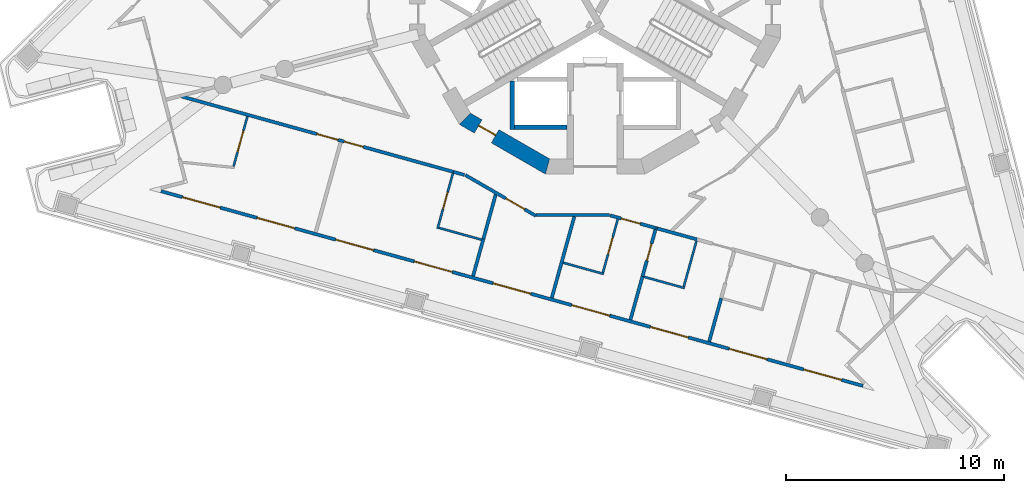
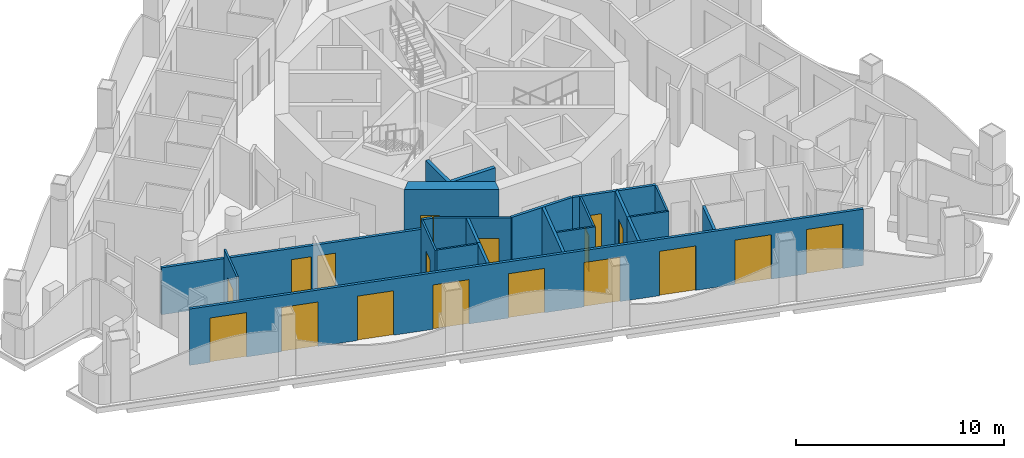
# One storey, part 2 of 14: 23 walls, 18 doors, 18 openings.
"""IFC4 building model written with IfcOpenShell, lengths in metres."""

import ifcopenshell
import ifcopenshell.guid

model = None  # the IFC model being written
_history = None  # IfcOwnerHistory: only IFC2X3 demands one
_inside = {}  # id of a spatial element -> (the spatial element, [elements in it])
_under = {}  # id of a project, library or spatial element -> (it, [spatial elements below it])
_declared = {}  # id of a project -> (the project, [libraries it declares])
_typed = {}  # id of a type object -> (the type object, [elements of that type])
_made_of = {}  # id of a material, layer set ... -> (it, [elements and type objects made of it])


def new_model(schema):
    """Start an empty IFC model of exactly this schema.

    Asked for "IFC4X3", IfcOpenShell would pick the latest addendum, in which some entities
    have other attributes; the version numbers below select the first issue.
    IFC2X3 requires an IfcOwnerHistory on every rooted entity: one is made here for all.
    """
    global model, _history
    if schema == "IFC4X3":
        model = ifcopenshell.file(schema_version=(4, 3, 0, 0))
    else:
        model = ifcopenshell.file(schema=schema)
    _inside.clear()
    _under.clear()
    _declared.clear()
    _typed.clear()
    _made_of.clear()
    _history = None
    if model.schema == "IFC2X3":
        org = make("IfcOrganization", Name="unknown")
        user = make(
            "IfcPersonAndOrganization",
            ThePerson=make("IfcPerson", FamilyName="unknown"),
            TheOrganization=org,
        )
        app = make(
            "IfcApplication",
            ApplicationDeveloper=org,
            Version="unknown",
            ApplicationFullName="unknown",
            ApplicationIdentifier="unknown",
        )
        _history = make(
            "IfcOwnerHistory",
            OwningUser=user,
            OwningApplication=app,
            ChangeAction="ADDED",
            CreationDate=0,
        )
    return model


def make(cls, **values):
    """One entity of the class cls with the attributes given. An attribute that is None is left unset."""
    return model.create_entity(
        cls, **{name: value for name, value in values.items() if value is not None}
    )


def rooted(cls, **values):
    """An entity with a GlobalId (a new one), such as an element, a storey or a relation."""
    return make(cls, GlobalId=ifcopenshell.guid.new(), OwnerHistory=_history, **values)


def si_unit(unit_type, name, prefix=None):
    """IfcSIUnit, for example si_unit("LENGTHUNIT", "METRE", prefix="MILLI")."""
    return make("IfcSIUnit", UnitType=unit_type, Prefix=prefix, Name=name)


def assignment(units):
    """IfcUnitAssignment: the units of a project."""
    return None if units is None else make("IfcUnitAssignment", Units=units)


def point(xyz):
    """IfcCartesianPoint."""
    return None if xyz is None else make("IfcCartesianPoint", Coordinates=xyz)


def direction(xyz):
    """IfcDirection."""
    return None if xyz is None else make("IfcDirection", DirectionRatios=xyz)


def frame(location, z_axis=None, x_axis=None):
    """IfcAxis2Placement3D, a coordinate frame: its origin and axes. An axis left out is left unset."""
    return make(
        "IfcAxis2Placement3D",
        Location=point(location),
        Axis=direction(z_axis),
        RefDirection=direction(x_axis),
    )


def frame_2d(location, x_axis=None):
    """IfcAxis2Placement2D, a coordinate frame in the plane: its origin and x axis."""
    return make(
        "IfcAxis2Placement2D", Location=point(location), RefDirection=direction(x_axis)
    )


def origin():
    """The frame at (0, 0, 0) with its axes left unset."""
    return frame((0.0, 0.0, 0.0))


def place(relative_to, where):
    """IfcLocalPlacement: puts the frame where relative to a parent placement (None: the world)."""
    return make(
        "IfcLocalPlacement", PlacementRelTo=relative_to, RelativePlacement=where
    )


def context(
    kind, dimensions, precision=None, world=None, true_north=None, identifier=None
):
    """IfcGeometricRepresentationContext, for example the 3D "Model" context."""
    return make(
        "IfcGeometricRepresentationContext",
        ContextIdentifier=identifier,
        ContextType=kind,
        CoordinateSpaceDimension=dimensions,
        Precision=precision,
        WorldCoordinateSystem=world,
        TrueNorth=true_north,
    )


def subcontext(parent, identifier, kind, view, scale=None):
    """IfcGeometricRepresentationSubContext, for example "Body" below "Model"."""
    return make(
        "IfcGeometricRepresentationSubContext",
        ContextIdentifier=identifier,
        ContextType=kind,
        ParentContext=parent,
        TargetScale=scale,
        TargetView=view,
    )


def project(units=None, contexts=None):
    """IfcProject with its units and contexts."""
    return rooted(
        "IfcProject",
        Name="project",
        RepresentationContexts=contexts,
        UnitsInContext=assignment(units),
    )


def spatial(cls, under=None, at=None, **own):
    """A site, building, storey or space (cls), placed at a placement, below another one or the project."""
    s = rooted(cls, ObjectPlacement=at, **own)
    if under is not None:
        _under.setdefault(under.id(), (under, []))[1].append(s)
    return s


def polyline(points):
    """IfcPolyline through the points."""
    return make("IfcPolyline", Points=[point(p) for p in points])


def profile(cls, at=None, kind="AREA", **sizes):
    """A parametric profile (cls). Its sizes go by their IFC names, for example OverallWidth=200.0."""
    return make(cls, ProfileType=kind, Position=at, **sizes)


def rectangle(**sizes):
    """IfcRectangleProfileDef."""
    return profile("IfcRectangleProfileDef", **sizes)


def outline(outer, holes=None, kind="AREA"):
    """IfcArbitraryClosedProfileDef: a profile drawn as a closed curve; with holes, ...WithVoids."""
    if holes is None:
        return make("IfcArbitraryClosedProfileDef", ProfileType=kind, OuterCurve=outer)
    return make(
        "IfcArbitraryProfileDefWithVoids",
        ProfileType=kind,
        OuterCurve=outer,
        InnerCurves=holes,
    )


def extrude(swept, where, along, depth):
    """IfcExtrudedAreaSolid: the profile swept, set in the frame where, extruded along a direction by depth."""
    return make(
        "IfcExtrudedAreaSolid",
        SweptArea=swept,
        Position=where,
        ExtrudedDirection=direction(along),
        Depth=depth,
    )


def shape(context_of_items, identifier, shape_type, items):
    """IfcShapeRepresentation: the items that make up one representation, for example the "Body"."""
    return make(
        "IfcShapeRepresentation",
        ContextOfItems=context_of_items,
        RepresentationIdentifier=identifier,
        RepresentationType=shape_type,
        Items=items,
    )


def material(Name=None, Category=None):
    """IfcMaterial."""
    return make("IfcMaterial", Name=Name, Category=Category)


def layer(
    of_material, thickness, ventilated=None, Name=None, Category=None, Priority=None
):
    """IfcMaterialLayer: one layer of a wall or slab, of a material (None: an air gap)."""
    return make(
        "IfcMaterialLayer",
        Material=of_material,
        LayerThickness=thickness,
        IsVentilated=ventilated,
        Name=Name,
        Category=Category,
        Priority=Priority,
    )


def layer_set(layers, Name=None):
    """IfcMaterialLayerSet."""
    return make("IfcMaterialLayerSet", MaterialLayers=layers, LayerSetName=Name)


def made_of(thing, what):
    """Note that an element or type object is made of a material, layer set ...; save() writes the relation."""
    if what is not None:
        _made_of.setdefault(what.id(), (what, []))[1].append(thing)
    return thing


def type_object(cls, material=None, **own):
    """A type object (cls), such as IfcWallType, which elements share."""
    return made_of(rooted(cls, **own), material)


def element(
    cls,
    number,
    at=None,
    inside=None,
    cuts=None,
    type_object=None,
    material=None,
    context=None,
    identifier="Body",
    shape_type=None,
    held_by="IfcProductDefinitionShape",
    body=None,
    shapes=None,
    **own,
):
    """One element of the class cls, such as IfcWall. Its Tag is "e" and its number.

    at: its placement. inside: the storey or other place that contains it. cuts: it is an
    opening in that element (IfcRelVoidsElement). A single representation is given by context,
    identifier, shape_type and body (its items); several are given by shapes. held_by: the class
    of the entity that holds the representations. save() writes the other relations.
    """
    e = rooted(cls, Tag="e%d" % number, ObjectPlacement=at, **own)
    if body is not None:
        shapes = [shape(context, identifier, shape_type, body)]
    if shapes is not None:
        e.Representation = make(held_by, Representations=shapes)
    if inside is not None:
        _inside.setdefault(inside.id(), (inside, []))[1].append(e)
    if cuts is not None:
        rooted(
            "IfcRelVoidsElement", RelatingBuildingElement=cuts, RelatedOpeningElement=e
        )
    if type_object is not None:
        _typed.setdefault(type_object.id(), (type_object, []))[1].append(e)
    return made_of(e, material)


def fill(opening, filler):
    """IfcRelFillsElement: the door or window that sits in an opening."""
    return rooted(
        "IfcRelFillsElement",
        RelatingOpeningElement=opening,
        RelatedBuildingElement=filler,
    )


def aggregate(whole, parts):
    """IfcRelAggregates: a whole, such as a stair, and the parts it consists of."""
    return rooted("IfcRelAggregates", RelatingObject=whole, RelatedObjects=parts)


def save(model, path):
    """Write the relations noted so far, then the file.

    IfcRelAggregates (storeys below a building ...), IfcRelContainedInSpatialStructure (elements
    in a storey), IfcRelDefinesByType, IfcRelAssociatesMaterial and IfcRelDeclares: one each for
    every whole, place, type object, material and project.
    """
    for whole, parts in _under.values():
        aggregate(whole, parts)
    for where, things in _inside.values():
        rooted(
            "IfcRelContainedInSpatialStructure",
            RelatedElements=things,
            RelatingStructure=where,
        )
    for kind, things in _typed.values():
        rooted("IfcRelDefinesByType", RelatedObjects=things, RelatingType=kind)
    for what, things in _made_of.values():
        rooted("IfcRelAssociatesMaterial", RelatedObjects=things, RelatingMaterial=what)
    for by, libraries in _declared.values():
        rooted("IfcRelDeclares", RelatingContext=by, RelatedDefinitions=libraries)
    model.write(path)


model = new_model("IFC4")

# Units and contexts
model_context = context("Model", 3, precision=1e-05, world=origin(), true_north=direction((0.0, 1.0)))
body_context = subcontext(model_context, "Body", "Model", "MODEL_VIEW")
ifc_project = project(units=[si_unit("LENGTHUNIT", "METRE"), si_unit("AREAUNIT", "SQUARE_METRE"), si_unit("VOLUMEUNIT", "CUBIC_METRE"), si_unit("PLANEANGLEUNIT", "RADIAN"), si_unit("MASSUNIT", "GRAM", prefix="KILO")], contexts=[model_context])

# Site, building, storey
site_placement = place(None, origin())
site = spatial("IfcSite", under=ifc_project, at=site_placement, CompositionType="ELEMENT")
building_placement = place(site_placement, origin())
building = spatial("IfcBuilding", under=site, at=building_placement, Name="Trine Commons Tower", CompositionType="ELEMENT")
storey_placement = place(building_placement, frame((0.0, 0.0, 238.5)))
storey = spatial("IfcBuildingStorey", under=building, at=storey_placement, Name="L62", CompositionType="ELEMENT", Elevation=238.5)

# Wall, openings, doors
ifc_material_1 = material(Name="Aluminium-framed insulated wall panel", Category="aluminium")
ifc_layer_1 = layer(ifc_material_1, 0.14990234375)
ifc_layer_set_1 = layer_set([ifc_layer_1], Name="Aluminium-framed insulated wall panel")
wall_type_1 = type_object("IfcWallType", Name="Glazed frame wall 150, EI 60", PredefinedType="SOLIDWALL", material=ifc_layer_set_1)
wall_1_placement = place(storey_placement, frame((92.4189453125, 44.2548828125, 0.0), z_axis=(0.0, 0.0, 1.0), x_axis=(-0.963630586427, 0.267237895708, 0.0)))
wall_1 = element("IfcWall", 1, at=wall_1_placement, inside=storey, type_object=wall_type_1, Name="Glazed frame wall F3", PredefinedType="SOLIDWALL", context=body_context, shape_type="SweptSolid", body=[
    extrude(outline(polyline([(0.1494140625, 0.074951171875), (0.1494140625, -0.074951171875), (33.536865234375, -0.074951171875), (33.536865234375, 0.074951171875), (0.1494140625, 0.074951171875)])), origin(), (0.0, 0.0, 1.0), 3.300048828125),
])
opening_1_placement = place(wall_1_placement, frame((1.17138671875, 0.0, 0.0)))
opening_1 = element("IfcOpeningElement", 2, at=opening_1_placement, cuts=wall_1, Name="Opening BD-7F3-01", PredefinedType="OPENING", context=body_context, shape_type="SweptSolid", body=[
    extrude(rectangle(XDim=1.800048828125, YDim=2.60009765625, at=frame_2d((0.89990234375, 1.300048828125))), frame((0.0, 0.0849609375, 0.0), z_axis=(0.0, -1.0, 0.0), x_axis=(1.0, 0.0, 0.0)), (0.0, 0.0, 1.0), 0.169921875),
])
opening_2_placement = place(wall_1_placement, frame((4.71435546875, 0.0, 0.0)))
opening_2 = element("IfcOpeningElement", 3, at=opening_2_placement, cuts=wall_1, Name="Opening BD-7F3-02", PredefinedType="OPENING", context=body_context, shape_type="SweptSolid", body=[
    extrude(rectangle(XDim=1.800048828125, YDim=2.60009765625, at=frame_2d((0.89990234375, 1.300048828125))), frame((0.0, 0.0849609375, 0.0), z_axis=(0.0, -1.0, 0.0), x_axis=(1.0, 0.0, 0.0)), (0.0, 0.0, 1.0), 0.169921875),
])
opening_3_placement = place(wall_1_placement, frame((8.457275390625, 0.0, 0.0)))
opening_3 = element("IfcOpeningElement", 4, at=opening_3_placement, cuts=wall_1, Name="Opening BD-7F3-03", PredefinedType="OPENING", context=body_context, shape_type="SweptSolid", body=[
    extrude(rectangle(XDim=1.800048828125, YDim=2.60009765625, at=frame_2d((0.89990234375, 1.300048828125))), frame((0.0, 0.0849609375, 0.0), z_axis=(0.0, -1.0, 0.0), x_axis=(1.0, 0.0, 0.0)), (0.0, 0.0, 1.0), 0.169921875),
])
opening_4_placement = place(wall_1_placement, frame((12.2001953125, 0.0, 0.0)))
opening_4 = element("IfcOpeningElement", 5, at=opening_4_placement, cuts=wall_1, Name="Opening BD-7F3-04", PredefinedType="OPENING", context=body_context, shape_type="SweptSolid", body=[
    extrude(rectangle(XDim=1.800048828125, YDim=2.60009765625, at=frame_2d((0.89990234375, 1.300048828125))), frame((0.0, 0.0849609375, 0.0), z_axis=(0.0, -1.0, 0.0), x_axis=(1.0, 0.0, 0.0)), (0.0, 0.0, 1.0), 0.169921875),
])
opening_5_placement = place(wall_1_placement, frame((15.943115234375, 0.0, 0.0)))
opening_5 = element("IfcOpeningElement", 6, at=opening_5_placement, cuts=wall_1, Name="Opening BD-7F3-05", PredefinedType="OPENING", context=body_context, shape_type="SweptSolid", body=[
    extrude(rectangle(XDim=1.800048828125, YDim=2.60009765625, at=frame_2d((0.89990234375, 1.300048828125))), frame((0.0, 0.0849609375, 0.0), z_axis=(0.0, -1.0, 0.0), x_axis=(1.0, 0.0, 0.0)), (0.0, 0.0, 1.0), 0.169921875),
])
opening_6_placement = place(wall_1_placement, frame((19.68603515625, 0.0, 0.0)))
opening_6 = element("IfcOpeningElement", 7, at=opening_6_placement, cuts=wall_1, Name="Opening BD-7F3-06", PredefinedType="OPENING", context=body_context, shape_type="SweptSolid", body=[
    extrude(rectangle(XDim=1.800048828125, YDim=2.60009765625, at=frame_2d((0.89990234375, 1.300048828125))), frame((0.0, 0.0849609375, 0.0), z_axis=(0.0, -1.0, 0.0), x_axis=(1.0, 0.0, 0.0)), (0.0, 0.0, 1.0), 0.169921875),
])
opening_7_placement = place(wall_1_placement, frame((23.428955078125, 0.0, 0.0)))
opening_7 = element("IfcOpeningElement", 8, at=opening_7_placement, cuts=wall_1, Name="Opening BD-7F3-07", PredefinedType="OPENING", context=body_context, shape_type="SweptSolid", body=[
    extrude(rectangle(XDim=1.800048828125, YDim=2.60009765625, at=frame_2d((0.89990234375, 1.300048828125))), frame((0.0, 0.0849609375, 0.0), z_axis=(0.0, -1.0, 0.0), x_axis=(1.0, 0.0, 0.0)), (0.0, 0.0, 1.0), 0.169921875),
])
opening_8_placement = place(wall_1_placement, frame((27.171875, 0.0, 0.0)))
opening_8 = element("IfcOpeningElement", 9, at=opening_8_placement, cuts=wall_1, Name="Opening BD-7F3-08", PredefinedType="OPENING", context=body_context, shape_type="SweptSolid", body=[
    extrude(rectangle(XDim=1.800048828125, YDim=2.60009765625, at=frame_2d((0.89990234375, 1.300048828125))), frame((0.0, 0.0849609375, 0.0), z_axis=(0.0, -1.0, 0.0), x_axis=(1.0, 0.0, 0.0)), (0.0, 0.0, 1.0), 0.169921875),
])
opening_9_placement = place(wall_1_placement, frame((30.714599609375, 0.0, 0.0)))
opening_9 = element("IfcOpeningElement", 10, at=opening_9_placement, cuts=wall_1, Name="Opening BD-7F3-09", PredefinedType="OPENING", context=body_context, shape_type="SweptSolid", body=[
    extrude(rectangle(XDim=1.800048828125, YDim=2.60009765625, at=frame_2d((0.89990234375, 1.300048828125))), frame((0.0, 0.0849609375, 0.0), z_axis=(0.0, -1.0, 0.0), x_axis=(1.0, 0.0, 0.0)), (0.0, 0.0, 1.0), 0.169921875),
])
ifc_material_2 = material(Name="Anodised aluminium frame with double glazing", Category="aluminium")
door_type_1 = type_object("IfcDoorType", Name="Sliding loggia door 1800x2600", OperationType="SLIDING_TO_LEFT", PredefinedType="DOOR", material=ifc_material_2)
door_1_placement = place(opening_1_placement, origin())
door_1 = element("IfcDoor", 11, at=door_1_placement, inside=storey, type_object=door_type_1, Name="Loggia door F3 1", OperationType="SLIDING_TO_LEFT", OverallHeight=2.60009765625, OverallWidth=1.800048828125, PredefinedType="DOOR", context=body_context, shape_type="SweptSolid", body=[
    extrude(rectangle(XDim=1.800048828125, YDim=2.60009765625, at=frame_2d((0.89990234375, 1.300048828125))), frame((0.0, 0.02490234375, 0.0), z_axis=(0.0, -1.0, 0.0), x_axis=(1.0, 0.0, 0.0)), (0.0, 0.0, 1.0), 0.050048828125),
])
fill(opening_1, door_1)
door_2_placement = place(opening_2_placement, origin())
door_2 = element("IfcDoor", 12, at=door_2_placement, inside=storey, type_object=door_type_1, Name="Loggia door F3 2", OperationType="SLIDING_TO_LEFT", OverallHeight=2.60009765625, OverallWidth=1.800048828125, PredefinedType="DOOR", context=body_context, shape_type="SweptSolid", body=[
    extrude(rectangle(XDim=1.800048828125, YDim=2.60009765625, at=frame_2d((0.89990234375, 1.300048828125))), frame((0.0, 0.02490234375, 0.0), z_axis=(0.0, -1.0, 0.0), x_axis=(1.0, 0.0, 0.0)), (0.0, 0.0, 1.0), 0.050048828125),
])
fill(opening_2, door_2)
door_3_placement = place(opening_3_placement, origin())
door_3 = element("IfcDoor", 13, at=door_3_placement, inside=storey, type_object=door_type_1, Name="Loggia door F3 3", OperationType="SLIDING_TO_LEFT", OverallHeight=2.60009765625, OverallWidth=1.800048828125, PredefinedType="DOOR", context=body_context, shape_type="SweptSolid", body=[
    extrude(rectangle(XDim=1.800048828125, YDim=2.60009765625, at=frame_2d((0.89990234375, 1.300048828125))), frame((0.0, 0.02490234375, 0.0), z_axis=(0.0, -1.0, 0.0), x_axis=(1.0, 0.0, 0.0)), (0.0, 0.0, 1.0), 0.050048828125),
])
fill(opening_3, door_3)
door_4_placement = place(opening_4_placement, origin())
door_4 = element("IfcDoor", 14, at=door_4_placement, inside=storey, type_object=door_type_1, Name="Loggia door F3 4", OperationType="SLIDING_TO_LEFT", OverallHeight=2.60009765625, OverallWidth=1.800048828125, PredefinedType="DOOR", context=body_context, shape_type="SweptSolid", body=[
    extrude(rectangle(XDim=1.800048828125, YDim=2.60009765625, at=frame_2d((0.89990234375, 1.300048828125))), frame((0.0, 0.02490234375, 0.0), z_axis=(0.0, -1.0, 0.0), x_axis=(1.0, 0.0, 0.0)), (0.0, 0.0, 1.0), 0.050048828125),
])
fill(opening_4, door_4)
door_5_placement = place(opening_5_placement, origin())
door_5 = element("IfcDoor", 15, at=door_5_placement, inside=storey, type_object=door_type_1, Name="Loggia door F3 5", OperationType="SLIDING_TO_LEFT", OverallHeight=2.60009765625, OverallWidth=1.800048828125, PredefinedType="DOOR", context=body_context, shape_type="SweptSolid", body=[
    extrude(rectangle(XDim=1.800048828125, YDim=2.60009765625, at=frame_2d((0.89990234375, 1.300048828125))), frame((0.0, 0.02490234375, 0.0), z_axis=(0.0, -1.0, 0.0), x_axis=(1.0, 0.0, 0.0)), (0.0, 0.0, 1.0), 0.050048828125),
])
fill(opening_5, door_5)
door_6_placement = place(opening_6_placement, origin())
door_6 = element("IfcDoor", 16, at=door_6_placement, inside=storey, type_object=door_type_1, Name="Loggia door F3 6", OperationType="SLIDING_TO_LEFT", OverallHeight=2.60009765625, OverallWidth=1.800048828125, PredefinedType="DOOR", context=body_context, shape_type="SweptSolid", body=[
    extrude(rectangle(XDim=1.800048828125, YDim=2.60009765625, at=frame_2d((0.89990234375, 1.300048828125))), frame((0.0, 0.02490234375, 0.0), z_axis=(0.0, -1.0, 0.0), x_axis=(1.0, 0.0, 0.0)), (0.0, 0.0, 1.0), 0.050048828125),
])
fill(opening_6, door_6)
door_7_placement = place(opening_7_placement, origin())
door_7 = element("IfcDoor", 17, at=door_7_placement, inside=storey, type_object=door_type_1, Name="Loggia door F3 7", OperationType="SLIDING_TO_LEFT", OverallHeight=2.60009765625, OverallWidth=1.800048828125, PredefinedType="DOOR", context=body_context, shape_type="SweptSolid", body=[
    extrude(rectangle(XDim=1.800048828125, YDim=2.60009765625, at=frame_2d((0.89990234375, 1.300048828125))), frame((0.0, 0.02490234375, 0.0), z_axis=(0.0, -1.0, 0.0), x_axis=(1.0, 0.0, 0.0)), (0.0, 0.0, 1.0), 0.050048828125),
])
fill(opening_7, door_7)
door_8_placement = place(opening_8_placement, origin())
door_8 = element("IfcDoor", 18, at=door_8_placement, inside=storey, type_object=door_type_1, Name="Loggia door F3 8", OperationType="SLIDING_TO_LEFT", OverallHeight=2.60009765625, OverallWidth=1.800048828125, PredefinedType="DOOR", context=body_context, shape_type="SweptSolid", body=[
    extrude(rectangle(XDim=1.800048828125, YDim=2.60009765625, at=frame_2d((0.89990234375, 1.300048828125))), frame((0.0, 0.02490234375, 0.0), z_axis=(0.0, -1.0, 0.0), x_axis=(1.0, 0.0, 0.0)), (0.0, 0.0, 1.0), 0.050048828125),
])
fill(opening_8, door_8)
door_9_placement = place(opening_9_placement, origin())
door_9 = element("IfcDoor", 19, at=door_9_placement, inside=storey, type_object=door_type_1, Name="Loggia door F3 9", OperationType="SLIDING_TO_LEFT", OverallHeight=2.60009765625, OverallWidth=1.800048828125, PredefinedType="DOOR", context=body_context, shape_type="SweptSolid", body=[
    extrude(rectangle(XDim=1.800048828125, YDim=2.60009765625, at=frame_2d((0.89990234375, 1.300048828125))), frame((0.0, 0.02490234375, 0.0), z_axis=(0.0, -1.0, 0.0), x_axis=(1.0, 0.0, 0.0)), (0.0, 0.0, 1.0), 0.050048828125),
])
fill(opening_9, door_9)

# Wall, opening, door
ifc_material_3 = material(Name="Concrete C50/60", Category="concrete")
ifc_layer_2 = layer(ifc_material_3, 0.699951171875)
ifc_layer_set_2 = layer_set([ifc_layer_2], Name="Concrete C50/60")
wall_type_2 = type_object("IfcWallType", Name="RC shear wall 700 mm, C50/60", PredefinedType="SHEAR", material=ifc_layer_set_2)
wall_2_placement = place(storey_placement, frame((73.952392578125, 56.58056640625, 0.0), z_axis=(0.0, 0.0, 1.0), x_axis=(0.866034756103, -0.499983800959, 0.0)))
wall_2 = element("IfcWall", 20, at=wall_2_placement, inside=storey, type_object=wall_type_2, Name="Core wall CWG-09 L62", PredefinedType="SHEAR", context=body_context, shape_type="SweptSolid", body=[
    extrude(outline(polyline([(0.0, -0.35009765625), (4.55517578125, -0.35009765625), (4.36767578125, 0.35009765625), (0.1875, 0.35009765625), (0.0, -0.35009765625)])), origin(), (0.0, 0.0, 1.0), 3.60009765625),
])
opening_10_placement = place(wall_2_placement, frame((0.791015625, 0.0, 0.0)))
opening_10 = element("IfcOpeningElement", 21, at=opening_10_placement, cuts=wall_2, Name="Opening K16.15", PredefinedType="OPENING", context=body_context, shape_type="SweptSolid", body=[
    extrude(rectangle(XDim=0.89990234375, YDim=2.10009765625, at=frame_2d((0.449951171875, 1.050048828125))), frame((0.0, 0.35986328125, 0.0), z_axis=(0.0, -1.0, 0.0), x_axis=(1.0, 0.0, 0.0)), (0.0, 0.0, 1.0), 0.719970703125),
])
ifc_material_4 = material(Name="Steel door leaf, fire-rated", Category="steel")
door_type_2 = type_object("IfcDoorType", Name="Core room door, single leaf 900 x 2100, FD30S", OperationType="SINGLE_SWING_LEFT", PredefinedType="DOOR", material=ifc_material_4)
door_10_placement = place(opening_10_placement, origin())
door_10 = element("IfcDoor", 22, at=door_10_placement, inside=storey, type_object=door_type_2, Name="Door to Parcel store L62", OperationType="SINGLE_SWING_LEFT", OverallHeight=2.10009765625, OverallWidth=0.89990234375, PredefinedType="DOOR", context=body_context, shape_type="SweptSolid", body=[
    extrude(rectangle(XDim=0.89990234375, YDim=2.10009765625, at=frame_2d((0.449951171875, 1.050048828125))), frame((0.0, 0.0751953125, 0.0), z_axis=(0.0, -1.0, 0.0), x_axis=(1.0, 0.0, 0.0)), (0.0, 0.0, 1.0), 0.050048828125),
])
fill(opening_10, door_10)

# Walls
ifc_material_5 = material(Name="Fire-rated gypsum shaft wall system")
ifc_layer_3 = layer(ifc_material_5, 0.199951171875)
ifc_layer_set_3 = layer_set([ifc_layer_3], Name="Fire-rated gypsum shaft wall system")
wall_type_3 = type_object("IfcWallType", Name="Shaft wall 200 mm, EI 120", PredefinedType="PARTITIONING", material=ifc_layer_set_3)
wall_3_placement = place(storey_placement, frame((76.199951171875, 58.257080078125, 0.0), z_axis=(0.0, 0.0, 1.0), x_axis=(0.0, -1.0, 0.0)))
element("IfcWall", 23, at=wall_3_placement, inside=storey, type_object=wall_type_3, Name="Shaft wall L62", PredefinedType="PARTITIONING", context=body_context, shape_type="SweptSolid", body=[
    extrude(rectangle(XDim=2.20703125, YDim=0.199951171875, at=frame_2d((1.103515625, 0.0))), origin(), (0.0, 0.0, 1.0), 3.300048828125),
])
wall_4_placement = place(storey_placement, frame((78.699951171875, 56.14990234375, 0.0), z_axis=(0.0, 0.0, 1.0), x_axis=(-1.0, 0.0, 0.0)))
element("IfcWall", 24, at=wall_4_placement, inside=storey, type_object=wall_type_3, Name="Shaft wall L62", PredefinedType="PARTITIONING", context=body_context, shape_type="SweptSolid", body=[
    extrude(rectangle(XDim=2.39990234375, YDim=0.199951171875, at=frame_2d((1.199951171875, 0.0))), origin(), (0.0, 0.0, 1.0), 3.300048828125),
])

# Wall, openings, doors
ifc_material_6 = material(Name="Gypsum plasterboard on steel stud", Category="steel")
ifc_layer_4 = layer(ifc_material_6, 0.14990234375)
ifc_layer_set_4 = layer_set([ifc_layer_4], Name="Gypsum plasterboard on steel stud")
wall_type_4 = type_object("IfcWallType", Name="Unit and corridor wall 150 mm, EI 60", PredefinedType="PARTITIONING", material=ifc_layer_set_4)
wall_5_placement = place(storey_placement, frame((61.043212890625, 57.55908203125, 0.0), z_axis=(0.0, 0.0, 1.0), x_axis=(0.963630739332, -0.26723734435, 0.0)))
wall_5 = element("IfcWall", 25, at=wall_5_placement, inside=storey, type_object=wall_type_4, Name="Partition 004", PredefinedType="PARTITIONING", context=body_context, shape_type="SweptSolid", body=[
    extrude(rectangle(XDim=12.97900390625, YDim=0.14990234375, at=frame_2d((6.489501953125, 0.0))), origin(), (0.0, 0.0, 1.0), 2.75),
])
opening_11_placement = place(wall_5_placement, frame((7.739990234375, 0.0, 0.0)))
opening_11 = element("IfcOpeningElement", 26, at=opening_11_placement, cuts=wall_5, Name="Opening D-7A24", PredefinedType="OPENING", context=body_context, shape_type="SweptSolid", body=[
    extrude(rectangle(XDim=0.89990234375, YDim=2.10009765625, at=frame_2d((0.449951171875, 1.050048828125))), frame((0.0, 0.0849609375, 0.0), z_axis=(0.0, -1.0, 0.0), x_axis=(1.0, 0.0, 0.0)), (0.0, 0.0, 1.0), 0.169921875),
])
opening_12_placement = place(wall_5_placement, frame((6.43994140625, 0.0, 0.0)))
opening_12 = element("IfcOpeningElement", 27, at=opening_12_placement, cuts=wall_5, Name="Opening D-7A25", PredefinedType="OPENING", context=body_context, shape_type="SweptSolid", body=[
    extrude(rectangle(XDim=1.0, YDim=2.10009765625, at=frame_2d((0.5, 1.050048828125))), frame((0.0, 0.0849609375, 0.0), z_axis=(0.0, -1.0, 0.0), x_axis=(1.0, 0.0, 0.0)), (0.0, 0.0, 1.0), 0.169921875),
])
ifc_material_7 = material(Name="Timber fire door set", Category="wood")
door_type_3 = type_object("IfcDoorType", Name="Bedroom door 1000 x 2100, FD30S", OperationType="NOTDEFINED", PredefinedType="DOOR", material=ifc_material_7)
door_11_placement = place(opening_12_placement, frame((1.0, 0.0, 0.0), z_axis=(0.0, 0.0, 1.0), x_axis=(-1.0, 0.0, 0.0)))
door_11 = element("IfcDoor", 28, at=door_11_placement, inside=storey, type_object=door_type_3, Name="Door D-7A25", OperationType="SINGLE_SWING_LEFT", OverallHeight=2.10009765625, OverallWidth=1.0, PredefinedType="DOOR", context=body_context, shape_type="SweptSolid", body=[
    extrude(rectangle(XDim=1.0, YDim=2.10009765625, at=frame_2d((0.5, 1.050048828125))), frame((0.0, 0.02490234375, 0.0), z_axis=(0.0, -1.0, 0.0), x_axis=(1.0, 0.0, 0.0)), (0.0, 0.0, 1.0), 0.050048828125),
])
fill(opening_12, door_11)
door_type_4 = type_object("IfcDoorType", Name="Bedroom door 900 x 2100, FD30S", OperationType="NOTDEFINED", PredefinedType="DOOR", material=ifc_material_7)
door_12_placement = place(opening_11_placement, frame((0.89990234375, 0.0, 0.0), z_axis=(0.0, 0.0, 1.0), x_axis=(-1.0, 0.0, 0.0)))
door_12 = element("IfcDoor", 29, at=door_12_placement, inside=storey, type_object=door_type_4, Name="Door D-7A24", OperationType="SINGLE_SWING_LEFT", OverallHeight=2.10009765625, OverallWidth=0.89990234375, PredefinedType="DOOR", context=body_context, shape_type="SweptSolid", body=[
    extrude(rectangle(XDim=0.89990234375, YDim=2.10009765625, at=frame_2d((0.449951171875, 1.050048828125))), frame((0.0, 0.02490234375, 0.0), z_axis=(0.0, -1.0, 0.0), x_axis=(1.0, 0.0, 0.0)), (0.0, 0.0, 1.0), 0.050048828125),
])
fill(opening_11, door_12)

# Wall
wall_6_placement = place(storey_placement, frame((73.4951171875, 54.10595703125, 0.0), z_axis=(0.0, 0.0, 1.0), x_axis=(0.963398829282, -0.268072183819, 0.0)))
element("IfcWall", 30, at=wall_6_placement, inside=storey, type_object=wall_type_4, Name="Partition 035", PredefinedType="PARTITIONING", context=body_context, shape_type="SweptSolid", body=[
    extrude(rectangle(XDim=0.529052734375, YDim=0.14990234375, at=frame_2d((0.2646484375, 0.0))), origin(), (0.0, 0.0, 1.0), 3.300048828125),
])

# Wall, opening, door
wall_7_placement = place(storey_placement, frame((74.049072265625, 53.9560546875, 0.0), z_axis=(0.0, 0.0, 1.0), x_axis=(0.865974487503, -0.500088179218, 0.0)))
wall_7 = element("IfcWall", 31, at=wall_7_placement, inside=storey, type_object=wall_type_4, Name="Partition 037", PredefinedType="PARTITIONING", context=body_context, shape_type="SweptSolid", body=[
    extrude(rectangle(XDim=3.736572265625, YDim=0.14990234375, at=frame_2d((1.8681640625, 0.0))), origin(), (0.0, 0.0, 1.0), 3.300048828125),
])
opening_13_placement = place(wall_7_placement, frame((2.146728515625, 0.0, 0.0)))
opening_13 = element("IfcOpeningElement", 32, at=opening_13_placement, cuts=wall_7, Name="Opening D-7A23", PredefinedType="OPENING", context=body_context, shape_type="SweptSolid", body=[
    extrude(rectangle(XDim=1.0, YDim=2.10009765625, at=frame_2d((0.5, 1.050048828125))), frame((0.0, 0.0849609375, 0.0), z_axis=(0.0, -1.0, 0.0), x_axis=(1.0, 0.0, 0.0)), (0.0, 0.0, 1.0), 0.169921875),
])
ifc_material_8 = material(Name="Painted timber", Category="wood")
door_type_5 = type_object("IfcDoorType", Name="Amenity room door 1000 x 2100, NOT RATED", OperationType="NOTDEFINED", PredefinedType="DOOR", material=ifc_material_8)
door_13_placement = place(opening_13_placement, frame((1.0, 0.0, 0.0), z_axis=(0.0, 0.0, 1.0), x_axis=(-1.0, 0.0, 0.0)))
door_13 = element("IfcDoor", 33, at=door_13_placement, inside=storey, type_object=door_type_5, Name="Door D-7A23", OperationType="SINGLE_SWING_LEFT", OverallHeight=2.10009765625, OverallWidth=1.0, PredefinedType="DOOR", context=body_context, shape_type="SweptSolid", body=[
    extrude(rectangle(XDim=1.0, YDim=2.10009765625, at=frame_2d((0.5, 1.050048828125))), frame((0.0, 0.02490234375, 0.0), z_axis=(0.0, -1.0, 0.0), x_axis=(1.0, 0.0, 0.0)), (0.0, 0.0, 1.0), 0.050048828125),
])
fill(opening_13, door_13)

# Walls
wall_8_placement = place(storey_placement, frame((74.40478515625, 49.32861328125, 0.0), z_axis=(0.0, 0.0, 1.0), x_axis=(0.267401148385, 0.963585297648, 0.0)))
element("IfcWall", 34, at=wall_8_placement, inside=storey, type_object=wall_type_4, Name="Partition 041", PredefinedType="PARTITIONING", context=body_context, shape_type="SweptSolid", body=[
    extrude(rectangle(XDim=1.763916015625, YDim=0.14990234375, at=frame_2d((0.8818359375, 0.0))), origin(), (0.0, 0.0, 1.0), 3.300048828125),
])
wall_9_placement = place(storey_placement, frame((74.861083984375, 50.971923828125, 0.0), z_axis=(0.0, 0.0, 1.0), x_axis=(0.267076384881, 0.963675362681, 0.0)))
element("IfcWall", 35, at=wall_9_placement, inside=storey, type_object=wall_type_4, Name="Partition 042", PredefinedType="PARTITIONING", context=body_context, shape_type="SweptSolid", body=[
    extrude(rectangle(XDim=2.1748046875, YDim=0.14990234375, at=frame_2d((1.08740234375, 0.0))), origin(), (0.0, 0.0, 1.0), 3.300048828125),
])
wall_10_placement = place(storey_placement, frame((77.294921875, 52.125, 0.0), z_axis=(0.0, 0.0, 1.0), x_axis=(1.0, 0.0, 0.0)))
element("IfcWall", 36, at=wall_10_placement, inside=storey, type_object=wall_type_4, Name="Partition 046", PredefinedType="PARTITIONING", context=body_context, shape_type="SweptSolid", body=[
    extrude(rectangle(XDim=3.35595703125, YDim=0.14990234375, at=frame_2d((1.677978515625, 0.0))), origin(), (0.0, 0.0, 1.0), 3.300048828125),
])
wall_11_placement = place(storey_placement, frame((78.01171875, 48.32861328125, 0.0), z_axis=(0.0, 0.0, 1.0), x_axis=(0.267337590954, 0.963602932988, 0.0)))
element("IfcWall", 37, at=wall_11_placement, inside=storey, type_object=wall_type_4, Name="Partition 047", PredefinedType="PARTITIONING", context=body_context, shape_type="SweptSolid", body=[
    extrude(rectangle(XDim=3.86474609375, YDim=0.14990234375, at=frame_2d((1.932373046875, 0.0))), origin(), (0.0, 0.0, 1.0), 3.300048828125),
])

# Wall, opening, door
wall_12_placement = place(storey_placement, frame((80.681884765625, 52.110107421875, 0.0), z_axis=(0.0, 0.0, 1.0), x_axis=(0.96358351927, -0.267407556722, 0.0)))
wall_12 = element("IfcWall", 38, at=wall_12_placement, inside=storey, type_object=wall_type_4, Name="Partition 056", PredefinedType="PARTITIONING", context=body_context, shape_type="SweptSolid", body=[
    extrude(rectangle(XDim=2.184814453125, YDim=0.14990234375, at=frame_2d((1.09228515625, 0.0))), origin(), (0.0, 0.0, 1.0), 3.300048828125),
])
opening_14_placement = place(wall_12_placement, frame((0.53759765625, 0.0, 0.0)))
opening_14 = element("IfcOpeningElement", 39, at=opening_14_placement, cuts=wall_12, Name="Opening D-7A22", PredefinedType="OPENING", context=body_context, shape_type="SweptSolid", body=[
    extrude(rectangle(XDim=0.89990234375, YDim=2.10009765625, at=frame_2d((0.449951171875, 1.050048828125))), frame((0.0, 0.0849609375, 0.0), z_axis=(0.0, -1.0, 0.0), x_axis=(1.0, 0.0, 0.0)), (0.0, 0.0, 1.0), 0.169921875),
])
door_14_placement = place(opening_14_placement, frame((0.89990234375, 0.0, 0.0), z_axis=(0.0, 0.0, 1.0), x_axis=(-1.0, 0.0, 0.0)))
door_14 = element("IfcDoor", 40, at=door_14_placement, inside=storey, type_object=door_type_4, Name="Door D-7A22", OperationType="SINGLE_SWING_RIGHT", OverallHeight=2.10009765625, OverallWidth=0.89990234375, PredefinedType="DOOR", context=body_context, shape_type="SweptSolid", body=[
    extrude(rectangle(XDim=0.89990234375, YDim=2.10009765625, at=frame_2d((0.449951171875, 1.050048828125))), frame((0.0, 0.02490234375, 0.0), z_axis=(0.0, -1.0, 0.0), x_axis=(1.0, 0.0, 0.0)), (0.0, 0.0, 1.0), 0.050048828125),
])
fill(opening_14, door_14)

# Wall
wall_13_placement = place(storey_placement, frame((81.61865234375, 47.327392578125, 0.0), z_axis=(0.0, 0.0, 1.0), x_axis=(0.267075474737, 0.963675614921, 0.0)))
element("IfcWall", 41, at=wall_13_placement, inside=storey, type_object=wall_type_4, Name="Partition 057", PredefinedType="PARTITIONING", context=body_context, shape_type="SweptSolid", body=[
    extrude(rectangle(XDim=2.060546875, YDim=0.14990234375, at=frame_2d((1.0302734375, 0.0))), origin(), (0.0, 0.0, 1.0), 3.300048828125),
])

# Wall, opening, door
wall_14_placement = place(storey_placement, frame((82.1689453125, 49.31298828125, 0.0), z_axis=(0.0, 0.0, 1.0), x_axis=(0.267490099625, 0.963560608681, 0.0)))
wall_14 = element("IfcWall", 42, at=wall_14_placement, inside=storey, type_object=wall_type_4, Name="Partition 059", PredefinedType="PARTITIONING", context=body_context, shape_type="SweptSolid", body=[
    extrude(rectangle(XDim=2.374755859375, YDim=0.14990234375, at=frame_2d((1.1875, 0.0))), origin(), (0.0, 0.0, 1.0), 3.300048828125),
])
opening_15_placement = place(wall_14_placement, frame((0.75, 0.0, 0.0)))
opening_15 = element("IfcOpeningElement", 43, at=opening_15_placement, cuts=wall_14, Name="Opening D-7A42", PredefinedType="OPENING", context=body_context, shape_type="SweptSolid", body=[
    extrude(rectangle(XDim=0.800048828125, YDim=2.10009765625, at=frame_2d((0.39990234375, 1.050048828125))), frame((0.0, 0.0849609375, 0.0), z_axis=(0.0, -1.0, 0.0), x_axis=(1.0, 0.0, 0.0)), (0.0, 0.0, 1.0), 0.169921875),
])
door_type_6 = type_object("IfcDoorType", Name="Internal door 800 x 2100, NOT RATED", OperationType="NOTDEFINED", PredefinedType="DOOR", material=ifc_material_8)
door_15_placement = place(opening_15_placement, origin())
door_15 = element("IfcDoor", 44, at=door_15_placement, inside=storey, type_object=door_type_6, Name="Door D-7A42", OperationType="SINGLE_SWING_LEFT", OverallHeight=2.10009765625, OverallWidth=0.800048828125, PredefinedType="DOOR", context=body_context, shape_type="SweptSolid", body=[
    extrude(rectangle(XDim=0.800048828125, YDim=2.10009765625, at=frame_2d((0.39990234375, 1.050048828125))), frame((0.0, 0.02490234375, 0.0), z_axis=(0.0, -1.0, 0.0), x_axis=(1.0, 0.0, 0.0)), (0.0, 0.0, 1.0), 0.050048828125),
])
fill(opening_15, door_15)

# Walls
wall_15_placement = place(storey_placement, frame((82.852294921875, 51.508056640625, 0.0), z_axis=(0.0, 0.0, 1.0), x_axis=(0.963942160186, -0.266111840805, 0.0)))
element("IfcWall", 45, at=wall_15_placement, inside=storey, type_object=wall_type_4, Name="Partition 063", PredefinedType="PARTITIONING", context=body_context, shape_type="SweptSolid", body=[
    extrude(rectangle(XDim=1.882568359375, YDim=0.14990234375, at=frame_2d((0.94140625, 0.0))), origin(), (0.0, 0.0, 1.0), 3.300048828125),
])
wall_16_placement = place(storey_placement, frame((85.2255859375, 46.327392578125, 0.0), z_axis=(0.0, 0.0, 1.0), x_axis=(0.267075474737, 0.963675614921, 0.0)))
element("IfcWall", 46, at=wall_16_placement, inside=storey, type_object=wall_type_4, Name="Partition 072", PredefinedType="PARTITIONING", context=body_context, shape_type="SweptSolid", body=[
    extrude(rectangle(XDim=2.060546875, YDim=0.14990234375, at=frame_2d((1.0302734375, 0.0))), origin(), (0.0, 0.0, 1.0), 3.300048828125),
])

# Wall, opening, door
ifc_layer_5 = layer(ifc_material_6, 0.10009765625)
ifc_layer_set_5 = layer_set([ifc_layer_5], Name="Gypsum plasterboard on steel stud")
wall_type_5 = type_object("IfcWallType", Name="Unit partition 100 mm, no rating", PredefinedType="PARTITIONING", material=ifc_layer_set_5)
wall_17_placement = place(storey_placement, frame((63.427490234375, 54.355224609375, 0.0), z_axis=(0.0, 0.0, 1.0), x_axis=(0.267177255804, 0.963647401273, 0.0)))
wall_17 = element("IfcWall", 47, at=wall_17_placement, inside=storey, type_object=wall_type_5, Name="Partition 008", PredefinedType="PARTITIONING", context=body_context, shape_type="SweptSolid", body=[
    extrude(rectangle(XDim=2.375, YDim=0.10009765625, at=frame_2d((1.1875, 0.0))), origin(), (0.0, 0.0, 1.0), 3.300048828125),
])
opening_16_placement = place(wall_17_placement, frame((0.6875, 0.0, 0.0)))
opening_16 = element("IfcOpeningElement", 48, at=opening_16_placement, cuts=wall_17, Name="Opening D-7A45", PredefinedType="OPENING", context=body_context, shape_type="SweptSolid", body=[
    extrude(rectangle(XDim=1.0, YDim=2.10009765625, at=frame_2d((0.5, 1.050048828125))), frame((0.0, 0.06005859375, 0.0), z_axis=(0.0, -1.0, 0.0), x_axis=(1.0, 0.0, 0.0)), (0.0, 0.0, 1.0), 0.1201171875),
])
door_type_7 = type_object("IfcDoorType", Name="Internal door 1000 x 2100, NOT RATED", OperationType="NOTDEFINED", PredefinedType="DOOR", material=ifc_material_8)
door_16_placement = place(opening_16_placement, frame((1.0, 0.0, 0.0), z_axis=(0.0, 0.0, 1.0), x_axis=(-1.0, 0.0, 0.0)))
door_16 = element("IfcDoor", 49, at=door_16_placement, inside=storey, type_object=door_type_7, Name="Door D-7A45", OperationType="SINGLE_SWING_LEFT", OverallHeight=2.10009765625, OverallWidth=1.0, PredefinedType="DOOR", context=body_context, shape_type="SweptSolid", body=[
    extrude(rectangle(XDim=1.0, YDim=2.10009765625, at=frame_2d((0.5, 1.050048828125))), frame((0.0, 0.02490234375, 0.0), z_axis=(0.0, -1.0, 0.0), x_axis=(1.0, 0.0, 0.0)), (0.0, 0.0, 1.0), 0.050048828125),
])
fill(opening_16, door_16)

wall_18_placement = place(storey_placement, frame((72.776611328125, 51.501708984375, 0.0), z_axis=(0.0, 0.0, 1.0), x_axis=(0.267159430854, 0.963652343175, 0.0)))
wall_18 = element("IfcWall", 50, at=wall_18_placement, inside=storey, type_object=wall_type_5, Name="Partition 033", PredefinedType="PARTITIONING", context=body_context, shape_type="SweptSolid", body=[
    extrude(rectangle(XDim=2.62548828125, YDim=0.10009765625, at=frame_2d((1.312744140625, 0.0))), origin(), (0.0, 0.0, 1.0), 3.300048828125),
])
opening_17_placement = place(wall_18_placement, frame((0.937744140625, 0.0, 0.0)))
opening_17 = element("IfcOpeningElement", 51, at=opening_17_placement, cuts=wall_18, Name="Opening D-7A44", PredefinedType="OPENING", context=body_context, shape_type="SweptSolid", body=[
    extrude(rectangle(XDim=0.800048828125, YDim=2.10009765625, at=frame_2d((0.39990234375, 1.050048828125))), frame((0.0, 0.06005859375, 0.0), z_axis=(0.0, -1.0, 0.0), x_axis=(1.0, 0.0, 0.0)), (0.0, 0.0, 1.0), 0.1201171875),
])
door_17_placement = place(opening_17_placement, origin())
door_17 = element("IfcDoor", 52, at=door_17_placement, inside=storey, type_object=door_type_6, Name="Door D-7A44", OperationType="SINGLE_SWING_RIGHT", OverallHeight=2.10009765625, OverallWidth=0.800048828125, PredefinedType="DOOR", context=body_context, shape_type="SweptSolid", body=[
    extrude(rectangle(XDim=0.800048828125, YDim=2.10009765625, at=frame_2d((0.39990234375, 1.050048828125))), frame((0.0, 0.02490234375, 0.0), z_axis=(0.0, -1.0, 0.0), x_axis=(1.0, 0.0, 0.0)), (0.0, 0.0, 1.0), 0.050048828125),
])
fill(opening_17, door_17)

# Walls
wall_19_placement = place(storey_placement, frame((72.838134765625, 51.53662109375, 0.0), z_axis=(0.0, 0.0, 1.0), x_axis=(0.963721434873, -0.266910089668, 0.0)))
element("IfcWall", 53, at=wall_19_placement, inside=storey, type_object=wall_type_5, Name="Partition 034", PredefinedType="PARTITIONING", context=body_context, shape_type="SweptSolid", body=[
    extrude(rectangle(XDim=2.025146484375, YDim=0.10009765625, at=frame_2d((1.0126953125, 0.0))), origin(), (0.0, 0.0, 1.0), 3.300048828125),
])
wall_20_placement = place(storey_placement, frame((78.536376953125, 49.93896484375, 0.0), z_axis=(0.0, 0.0, 1.0), x_axis=(0.963625049046, -0.267257862095, 0.0)))
element("IfcWall", 54, at=wall_20_placement, inside=storey, type_object=wall_type_5, Name="Partition 048", PredefinedType="PARTITIONING", context=body_context, shape_type="SweptSolid", body=[
    extrude(rectangle(XDim=1.9248046875, YDim=0.10009765625, at=frame_2d((0.96240234375, 0.0))), origin(), (0.0, 0.0, 1.0), 3.300048828125),
])

# Wall, opening, door
wall_21_placement = place(storey_placement, frame((80.3564453125, 49.486083984375, 0.0), z_axis=(0.0, 0.0, 1.0), x_axis=(0.267267405356, 0.963622402207, 0.0)))
wall_21 = element("IfcWall", 55, at=wall_21_placement, inside=storey, type_object=wall_type_5, Name="Partition 054", PredefinedType="PARTITIONING", context=body_context, shape_type="SweptSolid", body=[
    extrude(rectangle(XDim=2.542236328125, YDim=0.10009765625, at=frame_2d((1.27099609375, 0.0))), origin(), (0.0, 0.0, 1.0), 3.300048828125),
])
opening_18_placement = place(wall_21_placement, frame((0.87109375, 0.0, 0.0)))
opening_18 = element("IfcOpeningElement", 56, at=opening_18_placement, cuts=wall_21, Name="Opening D-7A43", PredefinedType="OPENING", context=body_context, shape_type="SweptSolid", body=[
    extrude(rectangle(XDim=0.800048828125, YDim=2.10009765625, at=frame_2d((0.39990234375, 1.050048828125))), frame((0.0, 0.06005859375, 0.0), z_axis=(0.0, -1.0, 0.0), x_axis=(1.0, 0.0, 0.0)), (0.0, 0.0, 1.0), 0.1201171875),
])
door_18_placement = place(opening_18_placement, frame((0.800048828125, 0.0, 0.0), z_axis=(0.0, 0.0, 1.0), x_axis=(-1.0, 0.0, 0.0)))
door_18 = element("IfcDoor", 57, at=door_18_placement, inside=storey, type_object=door_type_6, Name="Door D-7A43", OperationType="SINGLE_SWING_LEFT", OverallHeight=2.10009765625, OverallWidth=0.800048828125, PredefinedType="DOOR", context=body_context, shape_type="SweptSolid", body=[
    extrude(rectangle(XDim=0.800048828125, YDim=2.10009765625, at=frame_2d((0.39990234375, 1.050048828125))), frame((0.0, 0.02490234375, 0.0), z_axis=(0.0, -1.0, 0.0), x_axis=(1.0, 0.0, 0.0)), (0.0, 0.0, 1.0), 0.050048828125),
])
fill(opening_18, door_18)

# Walls
wall_22_placement = place(storey_placement, frame((82.2412109375, 49.29296875, 0.0), z_axis=(0.0, 0.0, 1.0), x_axis=(0.963634107358, -0.26722519929, 0.0)))
element("IfcWall", 58, at=wall_22_placement, inside=storey, type_object=wall_type_5, Name="Partition 060", PredefinedType="PARTITIONING", context=body_context, shape_type="SweptSolid", body=[
    extrude(rectangle(XDim=1.925048828125, YDim=0.10009765625, at=frame_2d((0.96240234375, 0.0))), origin(), (0.0, 0.0, 1.0), 3.300048828125),
])
wall_23_placement = place(storey_placement, frame((84.061279296875, 48.840087890625, 0.0), z_axis=(0.0, 0.0, 1.0), x_axis=(0.26738911175, 0.96358863781, 0.0)))
element("IfcWall", 59, at=wall_23_placement, inside=storey, type_object=wall_type_5, Name="Partition 067", PredefinedType="PARTITIONING", context=body_context, shape_type="SweptSolid", body=[
    extrude(rectangle(XDim=2.1748046875, YDim=0.10009765625, at=frame_2d((1.08740234375, 0.0))), origin(), (0.0, 0.0, 1.0), 3.300048828125),
])

save(model, "model.ifc")
